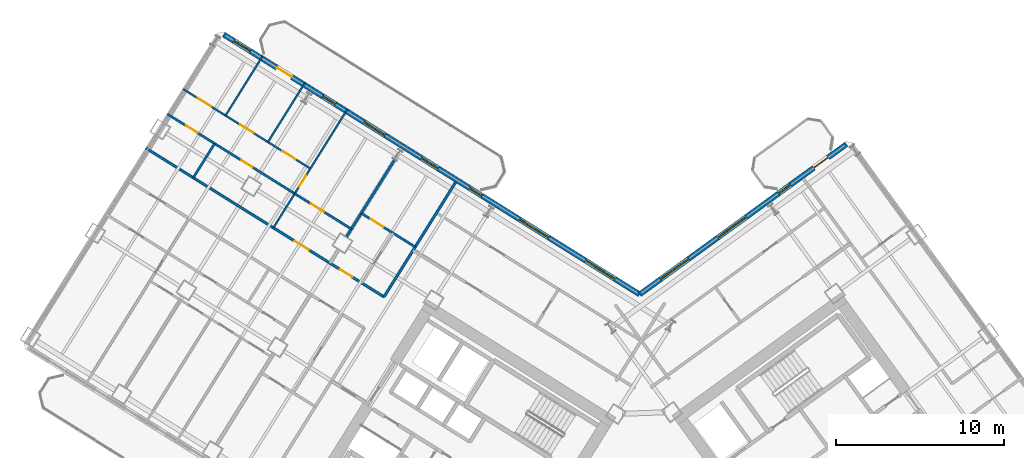
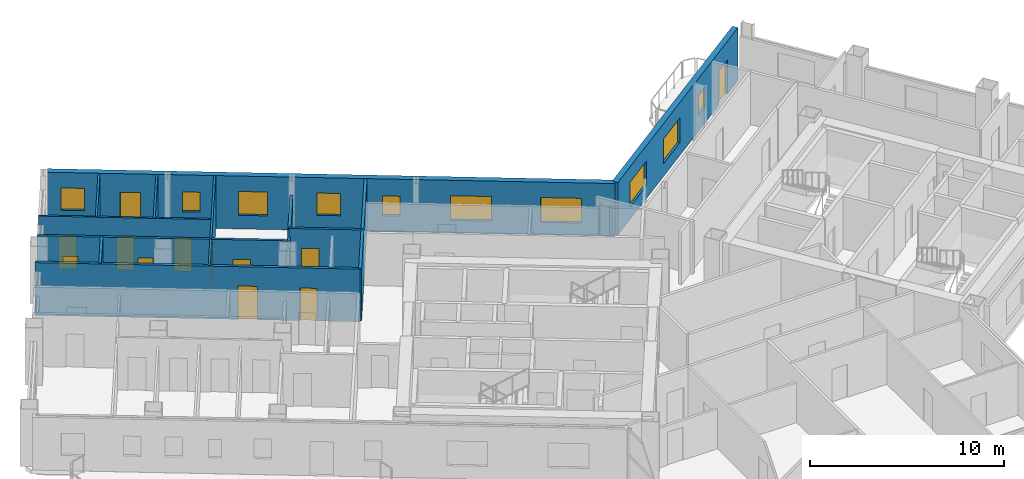
# One storey, part 16 of 22: 13 walls, 12 doors, 10 windows, 22 openings.
"""IFC4 building model written with IfcOpenShell, lengths in metres."""

import ifcopenshell
import ifcopenshell.guid

model = None  # the IFC model being written
_history = None  # IfcOwnerHistory: only IFC2X3 demands one
_inside = {}  # id of a spatial element -> (the spatial element, [elements in it])
_under = {}  # id of a project, library or spatial element -> (it, [spatial elements below it])
_declared = {}  # id of a project -> (the project, [libraries it declares])
_typed = {}  # id of a type object -> (the type object, [elements of that type])
_made_of = {}  # id of a material, layer set ... -> (it, [elements and type objects made of it])


def new_model(schema):
    """Start an empty IFC model of exactly this schema.

    Asked for "IFC4X3", IfcOpenShell would pick the latest addendum, in which some entities
    have other attributes; the version numbers below select the first issue.
    IFC2X3 requires an IfcOwnerHistory on every rooted entity: one is made here for all.
    """
    global model, _history
    if schema == "IFC4X3":
        model = ifcopenshell.file(schema_version=(4, 3, 0, 0))
    else:
        model = ifcopenshell.file(schema=schema)
    _inside.clear()
    _under.clear()
    _declared.clear()
    _typed.clear()
    _made_of.clear()
    _history = None
    if model.schema == "IFC2X3":
        org = make("IfcOrganization", Name="unknown")
        user = make(
            "IfcPersonAndOrganization",
            ThePerson=make("IfcPerson", FamilyName="unknown"),
            TheOrganization=org,
        )
        app = make(
            "IfcApplication",
            ApplicationDeveloper=org,
            Version="unknown",
            ApplicationFullName="unknown",
            ApplicationIdentifier="unknown",
        )
        _history = make(
            "IfcOwnerHistory",
            OwningUser=user,
            OwningApplication=app,
            ChangeAction="ADDED",
            CreationDate=0,
        )
    return model


def make(cls, **values):
    """One entity of the class cls with the attributes given. An attribute that is None is left unset."""
    return model.create_entity(
        cls, **{name: value for name, value in values.items() if value is not None}
    )


def rooted(cls, **values):
    """An entity with a GlobalId (a new one), such as an element, a storey or a relation."""
    return make(cls, GlobalId=ifcopenshell.guid.new(), OwnerHistory=_history, **values)


def si_unit(unit_type, name, prefix=None):
    """IfcSIUnit, for example si_unit("LENGTHUNIT", "METRE", prefix="MILLI")."""
    return make("IfcSIUnit", UnitType=unit_type, Prefix=prefix, Name=name)


def assignment(units):
    """IfcUnitAssignment: the units of a project."""
    return None if units is None else make("IfcUnitAssignment", Units=units)


def point(xyz):
    """IfcCartesianPoint."""
    return None if xyz is None else make("IfcCartesianPoint", Coordinates=xyz)


def direction(xyz):
    """IfcDirection."""
    return None if xyz is None else make("IfcDirection", DirectionRatios=xyz)


def frame(location, z_axis=None, x_axis=None):
    """IfcAxis2Placement3D, a coordinate frame: its origin and axes. An axis left out is left unset."""
    return make(
        "IfcAxis2Placement3D",
        Location=point(location),
        Axis=direction(z_axis),
        RefDirection=direction(x_axis),
    )


def frame_2d(location, x_axis=None):
    """IfcAxis2Placement2D, a coordinate frame in the plane: its origin and x axis."""
    return make(
        "IfcAxis2Placement2D", Location=point(location), RefDirection=direction(x_axis)
    )


def origin():
    """The frame at (0, 0, 0) with its axes left unset."""
    return frame((0.0, 0.0, 0.0))


def place(relative_to, where):
    """IfcLocalPlacement: puts the frame where relative to a parent placement (None: the world)."""
    return make(
        "IfcLocalPlacement", PlacementRelTo=relative_to, RelativePlacement=where
    )


def context(
    kind, dimensions, precision=None, world=None, true_north=None, identifier=None
):
    """IfcGeometricRepresentationContext, for example the 3D "Model" context."""
    return make(
        "IfcGeometricRepresentationContext",
        ContextIdentifier=identifier,
        ContextType=kind,
        CoordinateSpaceDimension=dimensions,
        Precision=precision,
        WorldCoordinateSystem=world,
        TrueNorth=true_north,
    )


def subcontext(parent, identifier, kind, view, scale=None):
    """IfcGeometricRepresentationSubContext, for example "Body" below "Model"."""
    return make(
        "IfcGeometricRepresentationSubContext",
        ContextIdentifier=identifier,
        ContextType=kind,
        ParentContext=parent,
        TargetScale=scale,
        TargetView=view,
    )


def project(units=None, contexts=None):
    """IfcProject with its units and contexts."""
    return rooted(
        "IfcProject",
        Name="project",
        RepresentationContexts=contexts,
        UnitsInContext=assignment(units),
    )


def spatial(cls, under=None, at=None, **own):
    """A site, building, storey or space (cls), placed at a placement, below another one or the project."""
    s = rooted(cls, ObjectPlacement=at, **own)
    if under is not None:
        _under.setdefault(under.id(), (under, []))[1].append(s)
    return s


def profile(cls, at=None, kind="AREA", **sizes):
    """A parametric profile (cls). Its sizes go by their IFC names, for example OverallWidth=200.0."""
    return make(cls, ProfileType=kind, Position=at, **sizes)


def rectangle(**sizes):
    """IfcRectangleProfileDef."""
    return profile("IfcRectangleProfileDef", **sizes)


def extrude(swept, where, along, depth):
    """IfcExtrudedAreaSolid: the profile swept, set in the frame where, extruded along a direction by depth."""
    return make(
        "IfcExtrudedAreaSolid",
        SweptArea=swept,
        Position=where,
        ExtrudedDirection=direction(along),
        Depth=depth,
    )


def shape(context_of_items, identifier, shape_type, items):
    """IfcShapeRepresentation: the items that make up one representation, for example the "Body"."""
    return make(
        "IfcShapeRepresentation",
        ContextOfItems=context_of_items,
        RepresentationIdentifier=identifier,
        RepresentationType=shape_type,
        Items=items,
    )


def source(mapping_origin, context_of_items, identifier, shape_type, items):
    """IfcRepresentationMap: a shape defined once, which mapped items show again and again."""
    return make(
        "IfcRepresentationMap",
        MappingOrigin=mapping_origin,
        MappedRepresentation=shape(context_of_items, identifier, shape_type, items),
    )


def transform(
    local_origin,
    x_axis=None,
    y_axis=None,
    z_axis=None,
    scale=None,
    scale2=None,
    scale3=None,
    uniform=True,
):
    """IfcCartesianTransformationOperator3D, or its non-uniform kind. x_axis, y_axis, z_axis: its Axis1, 2, 3."""
    if uniform:
        return make(
            "IfcCartesianTransformationOperator3D",
            Axis1=direction(x_axis),
            Axis2=direction(y_axis),
            LocalOrigin=point(local_origin),
            Scale=scale,
            Axis3=direction(z_axis),
        )
    return make(
        "IfcCartesianTransformationOperator3DnonUniform",
        Axis1=direction(x_axis),
        Axis2=direction(y_axis),
        LocalOrigin=point(local_origin),
        Scale=scale,
        Axis3=direction(z_axis),
        Scale2=scale2,
        Scale3=scale3,
    )


def mapped(mapping_source, mapping_target):
    """IfcMappedItem: shows the shape of a source again, moved by a transform."""
    return make(
        "IfcMappedItem", MappingSource=mapping_source, MappingTarget=mapping_target
    )


def material(Name=None, Category=None):
    """IfcMaterial."""
    return make("IfcMaterial", Name=Name, Category=Category)


def layer(
    of_material, thickness, ventilated=None, Name=None, Category=None, Priority=None
):
    """IfcMaterialLayer: one layer of a wall or slab, of a material (None: an air gap)."""
    return make(
        "IfcMaterialLayer",
        Material=of_material,
        LayerThickness=thickness,
        IsVentilated=ventilated,
        Name=Name,
        Category=Category,
        Priority=Priority,
    )


def layer_set(layers, Name=None):
    """IfcMaterialLayerSet."""
    return make("IfcMaterialLayerSet", MaterialLayers=layers, LayerSetName=Name)


def made_of(thing, what):
    """Note that an element or type object is made of a material, layer set ...; save() writes the relation."""
    if what is not None:
        _made_of.setdefault(what.id(), (what, []))[1].append(thing)
    return thing


def type_object(cls, material=None, **own):
    """A type object (cls), such as IfcWallType, which elements share."""
    return made_of(rooted(cls, **own), material)


def element(
    cls,
    number,
    at=None,
    inside=None,
    cuts=None,
    type_object=None,
    material=None,
    context=None,
    identifier="Body",
    shape_type=None,
    held_by="IfcProductDefinitionShape",
    body=None,
    shapes=None,
    **own,
):
    """One element of the class cls, such as IfcWall. Its Tag is "e" and its number.

    at: its placement. inside: the storey or other place that contains it. cuts: it is an
    opening in that element (IfcRelVoidsElement). A single representation is given by context,
    identifier, shape_type and body (its items); several are given by shapes. held_by: the class
    of the entity that holds the representations. save() writes the other relations.
    """
    e = rooted(cls, Tag="e%d" % number, ObjectPlacement=at, **own)
    if body is not None:
        shapes = [shape(context, identifier, shape_type, body)]
    if shapes is not None:
        e.Representation = make(held_by, Representations=shapes)
    if inside is not None:
        _inside.setdefault(inside.id(), (inside, []))[1].append(e)
    if cuts is not None:
        rooted(
            "IfcRelVoidsElement", RelatingBuildingElement=cuts, RelatedOpeningElement=e
        )
    if type_object is not None:
        _typed.setdefault(type_object.id(), (type_object, []))[1].append(e)
    return made_of(e, material)


def fill(opening, filler):
    """IfcRelFillsElement: the door or window that sits in an opening."""
    return rooted(
        "IfcRelFillsElement",
        RelatingOpeningElement=opening,
        RelatedBuildingElement=filler,
    )


def aggregate(whole, parts):
    """IfcRelAggregates: a whole, such as a stair, and the parts it consists of."""
    return rooted("IfcRelAggregates", RelatingObject=whole, RelatedObjects=parts)


def save(model, path):
    """Write the relations noted so far, then the file.

    IfcRelAggregates (storeys below a building ...), IfcRelContainedInSpatialStructure (elements
    in a storey), IfcRelDefinesByType, IfcRelAssociatesMaterial and IfcRelDeclares: one each for
    every whole, place, type object, material and project.
    """
    for whole, parts in _under.values():
        aggregate(whole, parts)
    for where, things in _inside.values():
        rooted(
            "IfcRelContainedInSpatialStructure",
            RelatedElements=things,
            RelatingStructure=where,
        )
    for kind, things in _typed.values():
        rooted("IfcRelDefinesByType", RelatedObjects=things, RelatingType=kind)
    for what, things in _made_of.values():
        rooted("IfcRelAssociatesMaterial", RelatedObjects=things, RelatingMaterial=what)
    for by, libraries in _declared.values():
        rooted("IfcRelDeclares", RelatingContext=by, RelatedDefinitions=libraries)
    model.write(path)


model = new_model("IFC4")

# Units and contexts
model_context = context("Model", 3, precision=1e-05, world=origin(), true_north=direction((0.0, 1.0)))
body_context = subcontext(model_context, "Body", "Model", "MODEL_VIEW")
ifc_project = project(units=[si_unit("LENGTHUNIT", "METRE"), si_unit("AREAUNIT", "SQUARE_METRE"), si_unit("VOLUMEUNIT", "CUBIC_METRE"), si_unit("PLANEANGLEUNIT", "RADIAN"), si_unit("MASSUNIT", "GRAM", prefix="KILO")], contexts=[model_context])

# Site, building, storey
site_placement = place(None, origin())
site = spatial("IfcSite", under=ifc_project, at=site_placement, CompositionType="ELEMENT")
building_placement = place(site_placement, origin())
building = spatial("IfcBuilding", under=site, at=building_placement, Name="Tlacorven Tower", CompositionType="ELEMENT")
storey_placement = place(building_placement, frame((0.0, 0.0, 97.199951171875)))
storey = spatial("IfcBuildingStorey", under=building, at=storey_placement, Name="L24", CompositionType="ELEMENT", Elevation=97.199951171875)

# Wall
ifc_material_1 = material(Name="Gypsum plasterboard acoustic partition", Category="gypsum")
ifc_layer_1 = layer(ifc_material_1, 0.159912109375)
ifc_layer_set_1 = layer_set([ifc_layer_1], Name="Gypsum plasterboard acoustic partition")
wall_type_1 = type_object("IfcWallType", Name="WL-DEM-160", PredefinedType="PARTITIONING", material=ifc_layer_set_1)
wall_1_placement = place(storey_placement, frame((31.238525390625, 38.27392578125, 0.0), z_axis=(0.0, 0.0, 1.0), x_axis=(-0.529928058306, -0.848042600947, 0.0)))
element("IfcWall", 1, at=wall_1_placement, inside=storey, type_object=wall_type_1, Name="L24 partition 51", PredefinedType="PARTITIONING", context=body_context, shape_type="SweptSolid", body=[
    extrude(rectangle(XDim=8.0498046875, YDim=0.159912109375, at=frame_2d((4.02490234375, 0.0))), origin(), (0.0, 0.0, 1.0), 3.31005859375),
])

# Wall, openings, doors
wall_2_placement = place(storey_placement, frame((26.97265625, 31.447265625, 0.0), z_axis=(0.0, 0.0, 1.0), x_axis=(-0.848048310262, 0.529918921593, 0.0)))
wall_2 = element("IfcWall", 2, at=wall_2_placement, inside=storey, type_object=wall_type_1, Name="L24 Wing W Corridor South Wall", PredefinedType="PARTITIONING", context=body_context, shape_type="SweptSolid", body=[
    extrude(rectangle(XDim=16.72998046875, YDim=0.159912109375, at=frame_2d((8.364990234375, 0.0))), origin(), (0.0, 0.0, 1.0), 3.31005859375),
])
opening_1_placement = place(wall_2_placement, frame((2.219970703125, 0.0, 0.0)))
opening_1 = element("IfcOpeningElement", 3, at=opening_1_placement, cuts=wall_2, Name="Opening D19", PredefinedType="OPENING", context=body_context, shape_type="SweptSolid", body=[
    extrude(rectangle(XDim=0.860107421875, YDim=2.050048828125, at=frame_2d((0.43017578125, 1.02490234375))), frame((0.0, 0.08984375, 0.0), z_axis=(0.0, -1.0, 0.0), x_axis=(1.0, 0.0, 0.0)), (0.0, 0.0, 1.0), 0.179931640625),
])
opening_2_placement = place(wall_2_placement, frame((5.280029296875, 0.0, 0.0)))
opening_2 = element("IfcOpeningElement", 4, at=opening_2_placement, cuts=wall_2, Name="Opening D11", PredefinedType="OPENING", context=body_context, shape_type="SweptSolid", body=[
    extrude(rectangle(XDim=1.0, YDim=2.10009765625, at=frame_2d((0.5, 1.050048828125))), frame((0.0, 0.08984375, 0.0), z_axis=(0.0, -1.0, 0.0), x_axis=(1.0, 0.0, 0.0)), (0.0, 0.0, 1.0), 0.179931640625),
])
ifc_material_2 = material(Name="Fire-rated steel door assembly", Category="steel")
door_type_1 = type_object("IfcDoorType", Name="DR-RSR-FD60-0860", OperationType="NOTDEFINED", PredefinedType="DOOR", material=ifc_material_2)
shared_shape_1 = source(origin(), body_context, "Body", "SweptSolid", [
    extrude(rectangle(XDim=0.860107421875, YDim=2.050048828125, at=frame_2d((0.43017578125, 1.02490234375))), frame((0.0, 0.02490234375, 0.0), z_axis=(0.0, -1.0, 0.0), x_axis=(1.0, 0.0, 0.0)), (0.0, 0.0, 1.0), 0.050048828125),
])
door_1_placement = place(opening_1_placement, origin())
door_1 = element("IfcDoor", 5, at=door_1_placement, inside=storey, type_object=door_type_1, Name="L24 door 036", OperationType="SINGLE_SWING_RIGHT", OverallHeight=2.050048828125, OverallWidth=0.860107421875, PredefinedType="DOOR", context=body_context, shape_type="MappedRepresentation", body=[
    mapped(shared_shape_1, transform((0.0, 0.0, 0.0), scale=1.0)),
])
fill(opening_1, door_1)
door_type_2 = type_object("IfcDoorType", Name="DR-FLT-FD60-1000", OperationType="NOTDEFINED", PredefinedType="DOOR", material=ifc_material_2)
shared_shape_2 = source(origin(), body_context, "Body", "SweptSolid", [
    extrude(rectangle(XDim=1.0, YDim=2.10009765625, at=frame_2d((0.5, 1.050048828125))), frame((0.0, 0.02490234375, 0.0), z_axis=(0.0, -1.0, 0.0), x_axis=(1.0, 0.0, 0.0)), (0.0, 0.0, 1.0), 0.050048828125),
])
door_2_placement = place(opening_2_placement, origin())
door_2 = element("IfcDoor", 6, at=door_2_placement, inside=storey, type_object=door_type_2, Name="L24 door 040", OperationType="SINGLE_SWING_RIGHT", OverallHeight=2.10009765625, OverallWidth=1.0, PredefinedType="DOOR", context=body_context, shape_type="MappedRepresentation", body=[
    mapped(shared_shape_2, transform((0.0, 0.0, 0.0), scale=1.0)),
])
fill(opening_2, door_2)

# Wall
wall_3_placement = place(storey_placement, frame((27.607421875, 39.614990234375, 0.0), z_axis=(0.0, 0.0, 1.0), x_axis=(-0.529913610495, -0.848051628978, 0.0)))
element("IfcWall", 7, at=wall_3_placement, inside=storey, type_object=wall_type_1, Name="L24 WS Demising Wall 1", PredefinedType="PARTITIONING", context=body_context, shape_type="SweptSolid", body=[
    extrude(rectangle(XDim=5.40087890625, YDim=0.159912109375, at=frame_2d((2.700439453125, 0.0))), origin(), (0.0, 0.0, 1.0), 2.7451171875),
])

# Wall, openings, door, windows
ifc_material_3 = material(Name="Precast concrete C45/55", Category="concrete")
ifc_layer_2 = layer(ifc_material_3, 0.320068359375)
ifc_layer_set_2 = layer_set([ifc_layer_2], Name="Precast concrete C45/55")
wall_type_2 = type_object("IfcWallType", Name="WL-EXT-320", PredefinedType="STANDARD", material=ifc_layer_set_2)
wall_4_placement = place(storey_placement, frame((17.423828125, 47.083251953125, 0.0), z_axis=(0.0, 0.0, 1.0), x_axis=(0.848049927979, -0.529916332693, 0.0)))
wall_4 = element("IfcWall", 8, at=wall_4_placement, inside=storey, type_object=wall_type_2, Name="L24 Masonry-Frame Recessed Facade Wall 3", PredefinedType="STANDARD", context=body_context, shape_type="SweptSolid", body=[
    extrude(rectangle(XDim=29.22314453125, YDim=0.320068359375, at=frame_2d((14.611572265625, 0.0))), origin(), (0.0, 0.0, 1.0), 3.320068359375),
])
opening_3_placement = place(wall_4_placement, frame((3.745361328125, 0.0, 0.0)))
opening_3 = element("IfcOpeningElement", 9, at=opening_3_placement, cuts=wall_4, Name="Opening D06", PredefinedType="OPENING", context=body_context, shape_type="SweptSolid", body=[
    extrude(rectangle(XDim=1.050048828125, YDim=2.14990234375, at=frame_2d((0.52490234375, 1.074951171875))), frame((0.0, 0.169921875, 0.0), z_axis=(0.0, -1.0, 0.0), x_axis=(1.0, 0.0, 0.0)), (0.0, 0.0, 1.0), 0.340087890625),
])
opening_4_placement = place(wall_4_placement, frame((0.699462890625, 0.0, 0.949951171875)))
opening_4 = element("IfcOpeningElement", 10, at=opening_4_placement, cuts=wall_4, Name="Opening WN03", PredefinedType="OPENING", context=body_context, shape_type="SweptSolid", body=[
    extrude(rectangle(XDim=1.199951171875, YDim=1.39990234375, at=frame_2d((0.60009765625, 0.699951171875))), frame((0.0, 0.169921875, 0.0), z_axis=(0.0, -1.0, 0.0), x_axis=(1.0, 0.0, 0.0)), (0.0, 0.0, 1.0), 0.340087890625),
])
opening_5_placement = place(wall_4_placement, frame((6.951171875, 0.0, 1.0)))
opening_5 = element("IfcOpeningElement", 11, at=opening_5_placement, cuts=wall_4, Name="Opening WN05", PredefinedType="OPENING", context=body_context, shape_type="SweptSolid", body=[
    extrude(rectangle(XDim=0.89990234375, YDim=1.25, at=frame_2d((0.449951171875, 0.625))), frame((0.0, 0.169921875, 0.0), z_axis=(0.0, -1.0, 0.0), x_axis=(1.0, 0.0, 0.0)), (0.0, 0.0, 1.0), 0.340087890625),
])
opening_6_placement = place(wall_4_placement, frame((9.84130859375, 0.0, 0.85009765625)))
opening_6 = element("IfcOpeningElement", 12, at=opening_6_placement, cuts=wall_4, Name="Opening WN02", PredefinedType="OPENING", context=body_context, shape_type="SweptSolid", body=[
    extrude(rectangle(XDim=1.5, YDim=1.5, at=frame_2d((0.75, 0.75))), frame((0.0, 0.169921875, 0.0), z_axis=(0.0, -1.0, 0.0), x_axis=(1.0, 0.0, 0.0)), (0.0, 0.0, 1.0), 0.340087890625),
])
opening_7_placement = place(wall_4_placement, frame((13.888671875, 0.0, 0.949951171875)))
opening_7 = element("IfcOpeningElement", 13, at=opening_7_placement, cuts=wall_4, Name="Opening WN03", PredefinedType="OPENING", context=body_context, shape_type="SweptSolid", body=[
    extrude(rectangle(XDim=1.199951171875, YDim=1.39990234375, at=frame_2d((0.60009765625, 0.699951171875))), frame((0.0, 0.169921875, 0.0), z_axis=(0.0, -1.0, 0.0), x_axis=(1.0, 0.0, 0.0)), (0.0, 0.0, 1.0), 0.340087890625),
])
opening_8_placement = place(wall_4_placement, frame((17.253662109375, 0.0, 1.0)))
opening_8 = element("IfcOpeningElement", 14, at=opening_8_placement, cuts=wall_4, Name="Opening WN05", PredefinedType="OPENING", context=body_context, shape_type="SweptSolid", body=[
    extrude(rectangle(XDim=0.89990234375, YDim=1.25, at=frame_2d((0.449951171875, 0.625))), frame((0.0, 0.169921875, 0.0), z_axis=(0.0, -1.0, 0.0), x_axis=(1.0, 0.0, 0.0)), (0.0, 0.0, 1.0), 0.340087890625),
])
opening_9_placement = place(wall_4_placement, frame((20.763671875, 0.0, 0.800048828125)))
opening_9 = element("IfcOpeningElement", 15, at=opening_9_placement, cuts=wall_4, Name="Opening WN04", PredefinedType="OPENING", context=body_context, shape_type="SweptSolid", body=[
    extrude(rectangle(XDim=2.10009765625, YDim=1.550048828125, at=frame_2d((1.050048828125, 0.77490234375))), frame((0.0, 0.169921875, 0.0), z_axis=(0.0, -1.0, 0.0), x_axis=(1.0, 0.0, 0.0)), (0.0, 0.0, 1.0), 0.340087890625),
])
opening_10_placement = place(wall_4_placement, frame((25.4033203125, 0.0, 0.800048828125)))
opening_10 = element("IfcOpeningElement", 16, at=opening_10_placement, cuts=wall_4, Name="Opening WN04", PredefinedType="OPENING", context=body_context, shape_type="SweptSolid", body=[
    extrude(rectangle(XDim=2.10009765625, YDim=1.550048828125, at=frame_2d((1.050048828125, 0.77490234375))), frame((0.0, 0.169921875, 0.0), z_axis=(0.0, -1.0, 0.0), x_axis=(1.0, 0.0, 0.0)), (0.0, 0.0, 1.0), 0.340087890625),
])
ifc_material_4 = material(Name="Powder-coated aluminium and timber door", Category="wood")
door_type_3 = type_object("IfcDoorType", Name="DR-EXT-BALC-1050", OperationType="NOTDEFINED", PredefinedType="DOOR", material=ifc_material_4)
shared_shape_3 = source(origin(), body_context, "Body", "SweptSolid", [
    extrude(rectangle(XDim=1.050048828125, YDim=2.14990234375, at=frame_2d((0.52490234375, 1.074951171875))), frame((0.0, 0.02490234375, 0.0), z_axis=(0.0, -1.0, 0.0), x_axis=(1.0, 0.0, 0.0)), (0.0, 0.0, 1.0), 0.050048828125),
])
door_3_placement = place(opening_3_placement, origin())
door_3 = element("IfcDoor", 17, at=door_3_placement, inside=storey, type_object=door_type_3, Name="L24 Outdoor Access Door BAL-L24-W-IN", OperationType="SINGLE_SWING_RIGHT", OverallHeight=2.14990234375, OverallWidth=1.050048828125, PredefinedType="DOOR", context=body_context, shape_type="MappedRepresentation", body=[
    mapped(shared_shape_3, transform((0.0, 0.0, 0.0), scale=1.0)),
])
fill(opening_3, door_3)
ifc_material_5 = material(Name="Dark solar low-E double glazing in anodised aluminium frame", Category="aluminium")
window_type_1 = type_object("IfcWindowType", Name="WN-APT-2100X1750", PartitioningType="SINGLE_PANEL", PredefinedType="WINDOW", material=ifc_material_5)
shared_shape_4 = source(origin(), body_context, "Body", "SweptSolid", [
    extrude(rectangle(XDim=2.10009765625, YDim=1.550048828125, at=frame_2d((1.050048828125, 0.77490234375))), frame((0.0, 0.030029296875, 0.0), z_axis=(0.0, -1.0, 0.0), x_axis=(1.0, 0.0, 0.0)), (0.0, 0.0, 1.0), 0.06005859375),
])
window_1_placement = place(opening_9_placement, origin())
window_1 = element("IfcWindow", 18, at=window_1_placement, inside=storey, type_object=window_type_1, Name="L24 Recessed Masonry-Frame Window L24-03.6", OverallHeight=1.550048828125, OverallWidth=2.10009765625, PartitioningType="SINGLE_PANEL", PredefinedType="WINDOW", context=body_context, shape_type="MappedRepresentation", body=[
    mapped(shared_shape_4, transform((0.0, 0.0, 0.0), scale=1.0)),
])
fill(opening_9, window_1)
window_2_placement = place(opening_10_placement, origin())
window_2 = element("IfcWindow", 19, at=window_2_placement, inside=storey, type_object=window_type_1, Name="L24 Recessed Masonry-Frame Window L24-03.7", OverallHeight=1.550048828125, OverallWidth=2.10009765625, PartitioningType="SINGLE_PANEL", PredefinedType="WINDOW", context=body_context, shape_type="MappedRepresentation", body=[
    mapped(shared_shape_4, transform((0.0, 0.0, 0.0), scale=1.0)),
])
fill(opening_10, window_2)
window_type_2 = type_object("IfcWindowType", Name="WN-APT-1200X1500", PartitioningType="SINGLE_PANEL", PredefinedType="WINDOW", material=ifc_material_5)
shared_shape_5 = source(origin(), body_context, "Body", "SweptSolid", [
    extrude(rectangle(XDim=1.199951171875, YDim=1.39990234375, at=frame_2d((0.60009765625, 0.699951171875))), frame((0.0, 0.030029296875, 0.0), z_axis=(0.0, -1.0, 0.0), x_axis=(1.0, 0.0, 0.0)), (0.0, 0.0, 1.0), 0.06005859375),
])
window_3_placement = place(opening_4_placement, origin())
window_3 = element("IfcWindow", 20, at=window_3_placement, inside=storey, type_object=window_type_2, Name="L24 Recessed Masonry-Frame Window L24-03.1", OverallHeight=1.39990234375, OverallWidth=1.199951171875, PartitioningType="SINGLE_PANEL", PredefinedType="WINDOW", context=body_context, shape_type="MappedRepresentation", body=[
    mapped(shared_shape_5, transform((0.0, 0.0, 0.0), scale=1.0)),
])
fill(opening_4, window_3)
window_4_placement = place(opening_7_placement, origin())
window_4 = element("IfcWindow", 21, at=window_4_placement, inside=storey, type_object=window_type_2, Name="L24 Recessed Masonry-Frame Window L24-03.4", OverallHeight=1.39990234375, OverallWidth=1.199951171875, PartitioningType="SINGLE_PANEL", PredefinedType="WINDOW", context=body_context, shape_type="MappedRepresentation", body=[
    mapped(shared_shape_5, transform((0.0, 0.0, 0.0), scale=1.0)),
])
fill(opening_7, window_4)
window_type_3 = type_object("IfcWindowType", Name="WN-APT-1500X1650", PartitioningType="SINGLE_PANEL", PredefinedType="WINDOW", material=ifc_material_5)
shared_shape_6 = source(origin(), body_context, "Body", "SweptSolid", [
    extrude(rectangle(XDim=1.5, YDim=1.5, at=frame_2d((0.75, 0.75))), frame((0.0, 0.030029296875, 0.0), z_axis=(0.0, -1.0, 0.0), x_axis=(1.0, 0.0, 0.0)), (0.0, 0.0, 1.0), 0.06005859375),
])
window_5_placement = place(opening_6_placement, origin())
window_5 = element("IfcWindow", 22, at=window_5_placement, inside=storey, type_object=window_type_3, Name="L24 Recessed Masonry-Frame Window L24-03.3", OverallHeight=1.5, OverallWidth=1.5, PartitioningType="SINGLE_PANEL", PredefinedType="WINDOW", context=body_context, shape_type="MappedRepresentation", body=[
    mapped(shared_shape_6, transform((0.0, 0.0, 0.0), scale=1.0)),
])
fill(opening_6, window_5)
window_type_4 = type_object("IfcWindowType", Name="WN-APT-0900X1350", PartitioningType="SINGLE_PANEL", PredefinedType="WINDOW", material=ifc_material_5)
shared_shape_7 = source(origin(), body_context, "Body", "SweptSolid", [
    extrude(rectangle(XDim=0.89990234375, YDim=1.25, at=frame_2d((0.449951171875, 0.625))), frame((0.0, 0.030029296875, 0.0), z_axis=(0.0, -1.0, 0.0), x_axis=(1.0, 0.0, 0.0)), (0.0, 0.0, 1.0), 0.06005859375),
])
window_6_placement = place(opening_5_placement, origin())
window_6 = element("IfcWindow", 23, at=window_6_placement, inside=storey, type_object=window_type_4, Name="L24 Recessed Masonry-Frame Window L24-03.2", OverallHeight=1.25, OverallWidth=0.89990234375, PartitioningType="SINGLE_PANEL", PredefinedType="WINDOW", context=body_context, shape_type="MappedRepresentation", body=[
    mapped(shared_shape_7, transform((0.0, 0.0, 0.0), scale=1.0)),
])
fill(opening_5, window_6)
window_7_placement = place(opening_8_placement, origin())
window_7 = element("IfcWindow", 24, at=window_7_placement, inside=storey, type_object=window_type_4, Name="L24 Recessed Masonry-Frame Window L24-03.5", OverallHeight=1.25, OverallWidth=0.89990234375, PartitioningType="SINGLE_PANEL", PredefinedType="WINDOW", context=body_context, shape_type="MappedRepresentation", body=[
    mapped(shared_shape_7, transform((0.0, 0.0, 0.0), scale=1.0)),
])
fill(opening_8, window_7)

wall_5_placement = place(storey_placement, frame((42.20654296875, 31.597412109375, 0.0), z_axis=(0.0, 0.0, 1.0), x_axis=(0.809020333377, 0.587780656523, 0.0)))
wall_5 = element("IfcWall", 25, at=wall_5_placement, inside=storey, type_object=wall_type_2, Name="L24 Masonry-Frame Recessed Facade Wall 4", PredefinedType="STANDARD", context=body_context, shape_type="SweptSolid", body=[
    extrude(rectangle(XDim=15.222900390625, YDim=0.320068359375, at=frame_2d((7.611328125, 0.0))), origin(), (0.0, 0.0, 1.0), 3.320068359375),
])
opening_11_placement = place(wall_5_placement, frame((12.81982421875, 0.0, 0.0)))
opening_11 = element("IfcOpeningElement", 26, at=opening_11_placement, cuts=wall_5, Name="Opening D06", PredefinedType="OPENING", context=body_context, shape_type="SweptSolid", body=[
    extrude(rectangle(XDim=1.050048828125, YDim=2.14990234375, at=frame_2d((0.52490234375, 1.074951171875))), frame((0.0, 0.169921875, 0.0), z_axis=(0.0, -1.0, 0.0), x_axis=(1.0, 0.0, 0.0)), (0.0, 0.0, 1.0), 0.340087890625),
])
opening_12_placement = place(wall_5_placement, frame((1.52001953125, 0.0, 0.800048828125)))
opening_12 = element("IfcOpeningElement", 27, at=opening_12_placement, cuts=wall_5, Name="Opening WN04", PredefinedType="OPENING", context=body_context, shape_type="SweptSolid", body=[
    extrude(rectangle(XDim=2.10009765625, YDim=1.550048828125, at=frame_2d((1.050048828125, 0.77490234375))), frame((0.0, 0.169921875, 0.0), z_axis=(0.0, -1.0, 0.0), x_axis=(1.0, 0.0, 0.0)), (0.0, 0.0, 1.0), 0.340087890625),
])
opening_13_placement = place(wall_5_placement, frame((5.759521484375, 0.0, 0.800048828125)))
opening_13 = element("IfcOpeningElement", 28, at=opening_13_placement, cuts=wall_5, Name="Opening WN04", PredefinedType="OPENING", context=body_context, shape_type="SweptSolid", body=[
    extrude(rectangle(XDim=2.10009765625, YDim=1.550048828125, at=frame_2d((1.050048828125, 0.77490234375))), frame((0.0, 0.169921875, 0.0), z_axis=(0.0, -1.0, 0.0), x_axis=(1.0, 0.0, 0.0)), (0.0, 0.0, 1.0), 0.340087890625),
])
opening_14_placement = place(wall_5_placement, frame((10.219482421875, 0.0, 1.0)))
opening_14 = element("IfcOpeningElement", 29, at=opening_14_placement, cuts=wall_5, Name="Opening WN05", PredefinedType="OPENING", context=body_context, shape_type="SweptSolid", body=[
    extrude(rectangle(XDim=0.89990234375, YDim=1.25, at=frame_2d((0.449951171875, 0.625))), frame((0.0, 0.169921875, 0.0), z_axis=(0.0, -1.0, 0.0), x_axis=(1.0, 0.0, 0.0)), (0.0, 0.0, 1.0), 0.340087890625),
])
door_4_placement = place(opening_11_placement, origin())
door_4 = element("IfcDoor", 30, at=door_4_placement, inside=storey, type_object=door_type_3, Name="L24 Outdoor Access Door BAL-L24-E-IN", OperationType="SINGLE_SWING_RIGHT", OverallHeight=2.14990234375, OverallWidth=1.050048828125, PredefinedType="DOOR", context=body_context, shape_type="MappedRepresentation", body=[
    mapped(shared_shape_3, transform((0.0, 0.0, 0.0), scale=1.0)),
])
fill(opening_11, door_4)
window_8_placement = place(opening_12_placement, origin())
window_8 = element("IfcWindow", 31, at=window_8_placement, inside=storey, type_object=window_type_1, Name="L24 Recessed Masonry-Frame Window L24-04.1", OverallHeight=1.550048828125, OverallWidth=2.10009765625, PartitioningType="SINGLE_PANEL", PredefinedType="WINDOW", context=body_context, shape_type="MappedRepresentation", body=[
    mapped(shared_shape_4, transform((0.0, 0.0, 0.0), scale=1.0)),
])
fill(opening_12, window_8)
window_9_placement = place(opening_13_placement, origin())
window_9 = element("IfcWindow", 32, at=window_9_placement, inside=storey, type_object=window_type_1, Name="L24 Recessed Masonry-Frame Window L24-04.2", OverallHeight=1.550048828125, OverallWidth=2.10009765625, PartitioningType="SINGLE_PANEL", PredefinedType="WINDOW", context=body_context, shape_type="MappedRepresentation", body=[
    mapped(shared_shape_4, transform((0.0, 0.0, 0.0), scale=1.0)),
])
fill(opening_13, window_9)
window_10_placement = place(opening_14_placement, origin())
window_10 = element("IfcWindow", 33, at=window_10_placement, inside=storey, type_object=window_type_4, Name="L24 Recessed Masonry-Frame Window L24-04.3", OverallHeight=1.25, OverallWidth=0.89990234375, PartitioningType="SINGLE_PANEL", PredefinedType="WINDOW", context=body_context, shape_type="MappedRepresentation", body=[
    mapped(shared_shape_7, transform((0.0, 0.0, 0.0), scale=1.0)),
])
fill(opening_14, window_10)

# Wall, opening, door
ifc_material_6 = material(Name="Gypsum plasterboard partition", Category="gypsum")
ifc_layer_3 = layer(ifc_material_6, 0.110107421875)
ifc_layer_set_3 = layer_set([ifc_layer_3], Name="Gypsum plasterboard partition")
wall_type_3 = type_object("IfcWallType", Name="WL-INT-110", PredefinedType="PARTITIONING", material=ifc_layer_set_3)
wall_6_placement = place(storey_placement, frame((24.792236328125, 42.620361328125, 0.0), z_axis=(0.0, 0.0, 1.0), x_axis=(-0.529925083182, -0.848044460046, 0.0)))
wall_6 = element("IfcWall", 34, at=wall_6_placement, inside=storey, type_object=wall_type_3, Name="L24 partition 71", PredefinedType="PARTITIONING", context=body_context, shape_type="SweptSolid", body=[
    extrude(rectangle(XDim=8.31982421875, YDim=0.110107421875, at=frame_2d((4.159912109375, 0.0))), origin(), (0.0, 0.0, 1.0), 3.31005859375),
])
opening_15_placement = place(wall_6_placement, frame((4.64990234375, 0.0, 0.0)))
opening_15 = element("IfcOpeningElement", 35, at=opening_15_placement, cuts=wall_6, Name="Opening D22", PredefinedType="OPENING", context=body_context, shape_type="SweptSolid", body=[
    extrude(rectangle(XDim=0.780029296875, YDim=2.050048828125, at=frame_2d((0.39013671875, 1.02490234375))), frame((0.0, 0.06494140625, 0.0), z_axis=(0.0, -1.0, 0.0), x_axis=(1.0, 0.0, 0.0)), (0.0, 0.0, 1.0), 0.130126953125),
])
door_type_4 = type_object("IfcDoorType", Name="DR-INT-WET-0780", OperationType="NOTDEFINED", PredefinedType="DOOR", material=ifc_material_4)
shared_shape_8 = source(origin(), body_context, "Body", "SweptSolid", [
    extrude(rectangle(XDim=0.780029296875, YDim=2.050048828125, at=frame_2d((0.39013671875, 1.02490234375))), frame((0.0, 0.02490234375, 0.0), z_axis=(0.0, -1.0, 0.0), x_axis=(1.0, 0.0, 0.0)), (0.0, 0.0, 1.0), 0.050048828125),
])
door_5_placement = place(opening_15_placement, origin())
door_5 = element("IfcDoor", 36, at=door_5_placement, inside=storey, type_object=door_type_4, Name="L24 door 042", OperationType="SINGLE_SWING_RIGHT", OverallHeight=2.050048828125, OverallWidth=0.780029296875, PredefinedType="DOOR", context=body_context, shape_type="MappedRepresentation", body=[
    mapped(shared_shape_8, transform((0.0, 0.0, 0.0), scale=1.0)),
])
fill(opening_15, door_5)

# Wall, openings, doors
wall_7_placement = place(storey_placement, frame((22.587890625, 39.092529296875, 0.0), z_axis=(0.0, 0.0, 1.0), x_axis=(-0.848044326704, 0.52992529657, 0.0)))
wall_7 = element("IfcWall", 37, at=wall_7_placement, inside=storey, type_object=wall_type_3, Name="L24 partition 76", PredefinedType="PARTITIONING", context=body_context, shape_type="SweptSolid", body=[
    extrude(rectangle(XDim=8.93994140625, YDim=0.110107421875, at=frame_2d((4.469970703125, 0.0))), origin(), (0.0, 0.0, 1.0), 3.31005859375),
])
opening_16_placement = place(wall_7_placement, frame((1.030029296875, 0.0, 0.0)))
opening_16 = element("IfcOpeningElement", 38, at=opening_16_placement, cuts=wall_7, Name="Opening D12", PredefinedType="OPENING", context=body_context, shape_type="SweptSolid", body=[
    extrude(rectangle(XDim=0.919921875, YDim=2.080078125, at=frame_2d((0.4599609375, 1.0400390625))), frame((0.0, 0.06494140625, 0.0), z_axis=(0.0, -1.0, 0.0), x_axis=(1.0, 0.0, 0.0)), (0.0, 0.0, 1.0), 0.130126953125),
])
opening_17_placement = place(wall_7_placement, frame((4.010009765625, 0.0, 0.0)))
opening_17 = element("IfcOpeningElement", 39, at=opening_17_placement, cuts=wall_7, Name="Opening D12", PredefinedType="OPENING", context=body_context, shape_type="SweptSolid", body=[
    extrude(rectangle(XDim=0.919921875, YDim=2.080078125, at=frame_2d((0.4599609375, 1.0400390625))), frame((0.0, 0.06494140625, 0.0), z_axis=(0.0, -1.0, 0.0), x_axis=(1.0, 0.0, 0.0)), (0.0, 0.0, 1.0), 0.130126953125),
])
opening_18_placement = place(wall_7_placement, frame((6.989990234375, 0.0, 0.0)))
opening_18 = element("IfcOpeningElement", 40, at=opening_18_placement, cuts=wall_7, Name="Opening D12", PredefinedType="OPENING", context=body_context, shape_type="SweptSolid", body=[
    extrude(rectangle(XDim=0.919921875, YDim=2.080078125, at=frame_2d((0.4599609375, 1.0400390625))), frame((0.0, 0.06494140625, 0.0), z_axis=(0.0, -1.0, 0.0), x_axis=(1.0, 0.0, 0.0)), (0.0, 0.0, 1.0), 0.130126953125),
])
door_type_5 = type_object("IfcDoorType", Name="DR-INT-ROOM-0920", OperationType="NOTDEFINED", PredefinedType="DOOR", material=ifc_material_4)
shared_shape_9 = source(origin(), body_context, "Body", "SweptSolid", [
    extrude(rectangle(XDim=0.919921875, YDim=2.080078125, at=frame_2d((0.4599609375, 1.0400390625))), frame((0.0, 0.02490234375, 0.0), z_axis=(0.0, -1.0, 0.0), x_axis=(1.0, 0.0, 0.0)), (0.0, 0.0, 1.0), 0.050048828125),
])
door_6_placement = place(opening_16_placement, origin())
door_6 = element("IfcDoor", 41, at=door_6_placement, inside=storey, type_object=door_type_5, Name="L24 door 045", OperationType="SINGLE_SWING_LEFT", OverallHeight=2.080078125, OverallWidth=0.919921875, PredefinedType="DOOR", context=body_context, shape_type="MappedRepresentation", body=[
    mapped(shared_shape_9, transform((0.0, 0.0, 0.0), scale=1.0)),
])
fill(opening_16, door_6)
door_7_placement = place(opening_17_placement, origin())
door_7 = element("IfcDoor", 42, at=door_7_placement, inside=storey, type_object=door_type_5, Name="L24 door 046", OperationType="SINGLE_SWING_RIGHT", OverallHeight=2.080078125, OverallWidth=0.919921875, PredefinedType="DOOR", context=body_context, shape_type="MappedRepresentation", body=[
    mapped(shared_shape_9, transform((0.0, 0.0, 0.0), scale=1.0)),
])
fill(opening_17, door_7)
door_8_placement = place(opening_18_placement, origin())
door_8 = element("IfcDoor", 43, at=door_8_placement, inside=storey, type_object=door_type_5, Name="L24 door 047", OperationType="SINGLE_SWING_LEFT", OverallHeight=2.080078125, OverallWidth=0.919921875, PredefinedType="DOOR", context=body_context, shape_type="MappedRepresentation", body=[
    mapped(shared_shape_9, transform((0.0, 0.0, 0.0), scale=1.0)),
])
fill(opening_18, door_8)

# Walls
wall_8_placement = place(storey_placement, frame((22.26513671875, 44.199462890625, 0.0), z_axis=(0.0, 0.0, 1.0), x_axis=(-0.529946186362, -0.848031272749, 0.0)))
element("IfcWall", 44, at=wall_8_placement, inside=storey, type_object=wall_type_3, Name="L24 partition 77", PredefinedType="PARTITIONING", context=body_context, shape_type="SweptSolid", body=[
    extrude(rectangle(XDim=4.159912109375, YDim=0.110107421875, at=frame_2d((2.080078125, 0.0))), origin(), (0.0, 0.0, 1.0), 3.31005859375),
])
wall_9_placement = place(storey_placement, frame((19.73779296875, 45.77880859375, 0.0), z_axis=(0.0, 0.0, 1.0), x_axis=(-0.529877605827, -0.848074125795, 0.0)))
element("IfcWall", 45, at=wall_9_placement, inside=storey, type_object=wall_type_3, Name="L24 partition 78", PredefinedType="PARTITIONING", context=body_context, shape_type="SweptSolid", body=[
    extrude(rectangle(XDim=4.16015625, YDim=0.110107421875, at=frame_2d((2.080078125, 0.0))), origin(), (0.0, 0.0, 1.0), 3.31005859375),
])

# Wall, opening, door
ifc_material_7 = material(Name="Moisture-resistant gypsum plumbing wall", Category="gypsum")
ifc_layer_4 = layer(ifc_material_7, 0.139892578125)
ifc_layer_set_4 = layer_set([ifc_layer_4], Name="Moisture-resistant gypsum plumbing wall")
wall_type_4 = type_object("IfcWallType", Name="WL-PLM-140", PredefinedType="PLUMBINGWALL", material=ifc_layer_set_4)
wall_10_placement = place(storey_placement, frame((28.832763671875, 34.423828125, 0.0), z_axis=(0.0, 0.0, 1.0), x_axis=(-0.848059820872, 0.529900500304, 0.0)))
wall_10 = element("IfcWall", 46, at=wall_10_placement, inside=storey, type_object=wall_type_4, Name="L24 partition 69", PredefinedType="PLUMBINGWALL", context=body_context, shape_type="SweptSolid", body=[
    extrude(rectangle(XDim=3.7900390625, YDim=0.139892578125, at=frame_2d((1.89501953125, 0.0))), origin(), (0.0, 0.0, 1.0), 3.31005859375),
])
opening_19_placement = place(wall_10_placement, frame((2.22998046875, 0.0, 0.0)))
opening_19 = element("IfcOpeningElement", 47, at=opening_19_placement, cuts=wall_10, Name="Opening D12", PredefinedType="OPENING", context=body_context, shape_type="SweptSolid", body=[
    extrude(rectangle(XDim=0.919921875, YDim=2.080078125, at=frame_2d((0.4599609375, 1.0400390625))), frame((0.0, 0.080078125, 0.0), z_axis=(0.0, -1.0, 0.0), x_axis=(1.0, 0.0, 0.0)), (0.0, 0.0, 1.0), 0.159912109375),
])
door_9_placement = place(opening_19_placement, origin())
door_9 = element("IfcDoor", 48, at=door_9_placement, inside=storey, type_object=door_type_5, Name="L24 door 037", OperationType="SINGLE_SWING_LEFT", OverallHeight=2.080078125, OverallWidth=0.919921875, PredefinedType="DOOR", context=body_context, shape_type="MappedRepresentation", body=[
    mapped(shared_shape_9, transform((0.0, 0.0, 0.0), scale=1.0)),
])
fill(opening_19, door_9)

wall_11_placement = place(storey_placement, frame((25.0302734375, 35.490966796875, 0.0), z_axis=(0.0, 0.0, 1.0), x_axis=(-0.848070667369, 0.52988314103, 0.0)))
wall_11 = element("IfcWall", 49, at=wall_11_placement, inside=storey, type_object=wall_type_4, Name="L24 partition 73", PredefinedType="PLUMBINGWALL", context=body_context, shape_type="SweptSolid", body=[
    extrude(rectangle(XDim=3.97998046875, YDim=0.139892578125, at=frame_2d((1.989990234375, 0.0))), origin(), (0.0, 0.0, 1.0), 3.31005859375),
])
opening_20_placement = place(wall_11_placement, frame((1.929931640625, 0.0, 0.0)))
opening_20 = element("IfcOpeningElement", 50, at=opening_20_placement, cuts=wall_11, Name="Opening D12", PredefinedType="OPENING", context=body_context, shape_type="SweptSolid", body=[
    extrude(rectangle(XDim=0.919921875, YDim=2.080078125, at=frame_2d((0.4599609375, 1.0400390625))), frame((0.0, 0.080078125, 0.0), z_axis=(0.0, -1.0, 0.0), x_axis=(1.0, 0.0, 0.0)), (0.0, 0.0, 1.0), 0.159912109375),
])
door_10_placement = place(opening_20_placement, origin())
door_10 = element("IfcDoor", 51, at=door_10_placement, inside=storey, type_object=door_type_5, Name="L24 door 041", OperationType="SINGLE_SWING_LEFT", OverallHeight=2.080078125, OverallWidth=0.919921875, PredefinedType="DOOR", context=body_context, shape_type="MappedRepresentation", body=[
    mapped(shared_shape_9, transform((0.0, 0.0, 0.0), scale=1.0)),
])
fill(opening_20, door_10)

# Wall, openings, doors
wall_12_placement = place(storey_placement, frame((21.655029296875, 37.599853515625, 0.0), z_axis=(0.0, 0.0, 1.0), x_axis=(-0.848044326704, 0.52992529657, 0.0)))
wall_12 = element("IfcWall", 52, at=wall_12_placement, inside=storey, type_object=wall_type_4, Name="L24 partition 74", PredefinedType="PLUMBINGWALL", context=body_context, shape_type="SweptSolid", body=[
    extrude(rectangle(XDim=8.93994140625, YDim=0.139892578125, at=frame_2d((4.469970703125, 0.0))), origin(), (0.0, 0.0, 1.0), 3.31005859375),
])
opening_21_placement = place(wall_12_placement, frame((2.972412109375, 0.0, 0.0)))
opening_21 = element("IfcOpeningElement", 53, at=opening_21_placement, cuts=wall_12, Name="Opening D22", PredefinedType="OPENING", context=body_context, shape_type="SweptSolid", body=[
    extrude(rectangle(XDim=0.780029296875, YDim=2.050048828125, at=frame_2d((0.39013671875, 1.02490234375))), frame((0.0, 0.080078125, 0.0), z_axis=(0.0, -1.0, 0.0), x_axis=(1.0, 0.0, 0.0)), (0.0, 0.0, 1.0), 0.159912109375),
])
opening_22_placement = place(wall_12_placement, frame((6.842529296875, 0.0, 0.0)))
opening_22 = element("IfcOpeningElement", 54, at=opening_22_placement, cuts=wall_12, Name="Opening D22", PredefinedType="OPENING", context=body_context, shape_type="SweptSolid", body=[
    extrude(rectangle(XDim=0.780029296875, YDim=2.050048828125, at=frame_2d((0.39013671875, 1.02490234375))), frame((0.0, 0.080078125, 0.0), z_axis=(0.0, -1.0, 0.0), x_axis=(1.0, 0.0, 0.0)), (0.0, 0.0, 1.0), 0.159912109375),
])
door_11_placement = place(opening_21_placement, origin())
door_11 = element("IfcDoor", 55, at=door_11_placement, inside=storey, type_object=door_type_4, Name="L24 door 043", OperationType="SINGLE_SWING_RIGHT", OverallHeight=2.050048828125, OverallWidth=0.780029296875, PredefinedType="DOOR", context=body_context, shape_type="MappedRepresentation", body=[
    mapped(shared_shape_8, transform((0.0, 0.0, 0.0), scale=1.0)),
])
fill(opening_21, door_11)
door_12_placement = place(opening_22_placement, origin())
door_12 = element("IfcDoor", 56, at=door_12_placement, inside=storey, type_object=door_type_4, Name="L24 door 044", OperationType="SINGLE_SWING_RIGHT", OverallHeight=2.050048828125, OverallWidth=0.780029296875, PredefinedType="DOOR", context=body_context, shape_type="MappedRepresentation", body=[
    mapped(shared_shape_8, transform((0.0, 0.0, 0.0), scale=1.0)),
])
fill(opening_22, door_12)

# Wall
wall_13_placement = place(storey_placement, frame((16.89013671875, 40.58935546875, 0.0), z_axis=(0.0, 0.0, 1.0), x_axis=(-0.52988967038, -0.848066587731, 0.0)))
element("IfcWall", 57, at=wall_13_placement, inside=storey, type_object=wall_type_4, Name="L24 partition 75", PredefinedType="PLUMBINGWALL", context=body_context, shape_type="SweptSolid", body=[
    extrude(rectangle(XDim=2.41015625, YDim=0.139892578125, at=frame_2d((1.205078125, 0.0))), origin(), (0.0, 0.0, 1.0), 3.31005859375),
])

save(model, "model.ifc")
